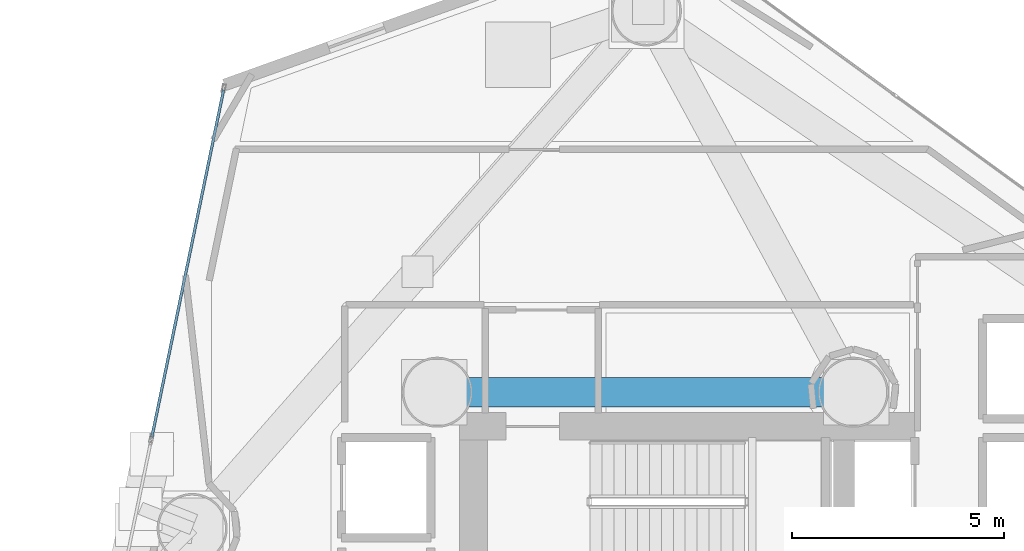
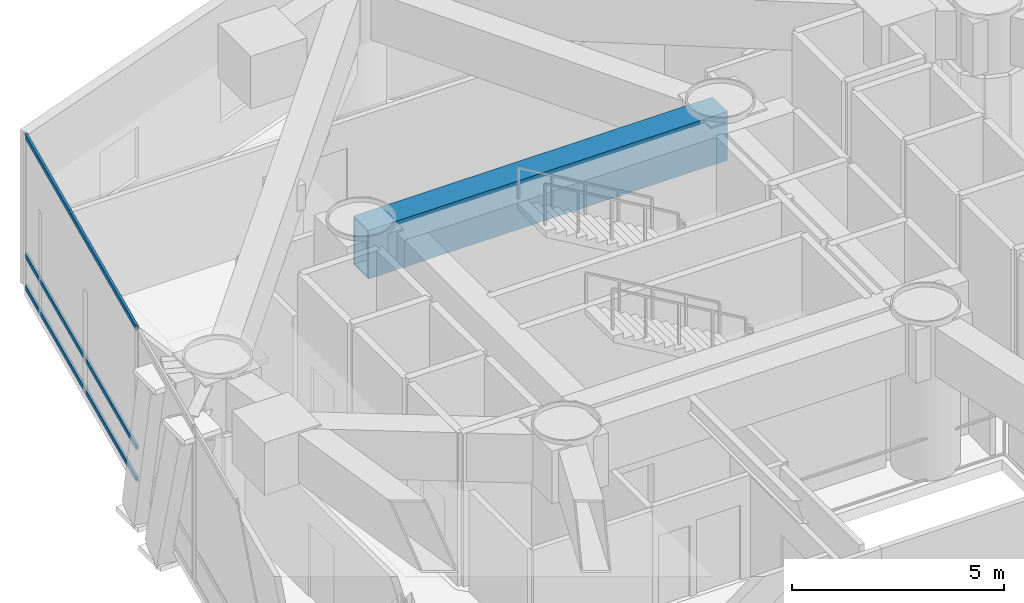
# One storey, part 7 of 22: 3 members, 1 beam, 1 element without a shape of its own.
"""IFC4 building model written with IfcOpenShell, lengths in metres."""

from ifc_helpers import new_model, si_unit, direction, frame, origin, origin_2d, place, context, subcontext, project, spatial, hollow_rectangle, extrude, material, layer, layer_set, material_profile, profile_set, type_object, element, aggregate, save


model = new_model("IFC4")

# Units and contexts
model_context = context("Model", 3, precision=1e-05, world=origin(), true_north=direction((0.0, 1.0)))
body_context = subcontext(model_context, "Body", "Model", "MODEL_VIEW")
ifc_project = project(units=[si_unit("LENGTHUNIT", "METRE"), si_unit("AREAUNIT", "SQUARE_METRE"), si_unit("VOLUMEUNIT", "CUBIC_METRE"), si_unit("PLANEANGLEUNIT", "RADIAN"), si_unit("MASSUNIT", "GRAM", prefix="KILO")], contexts=[model_context])

# Site, building, storey
site_placement = place(None, origin())
site = spatial("IfcSite", under=ifc_project, at=site_placement, CompositionType="ELEMENT")
building_placement = place(site_placement, origin())
building = spatial("IfcBuilding", under=site, at=building_placement, Name="Qianvela Tower", CompositionType="ELEMENT")
storey_placement = place(building_placement, frame((0.0, 0.0, 93.199951171875)))
storey = spatial("IfcBuildingStorey", under=building, at=storey_placement, Name="L23", CompositionType="ELEMENT", Elevation=93.199951171875)

# Beam
ifc_material_1 = material(Name="Steel Q420GJC", Category="steel")
ifc_material_profile_1 = material_profile(ifc_material_1, hollow_rectangle(XDim=0.699951171875, YDim=1.39990234375, WallThickness=0.0400390625, at=origin_2d()), Name="TG-BOX-1400x700x40")
ifc_profile_set_1 = profile_set([ifc_material_profile_1], Name="Steel Q420GJC")
beam_type = type_object("IfcBeamType", Name="BM-TG-RAD-1400", PredefinedType="BEAM", material=ifc_profile_set_1)
beam_placement = place(storey_placement, frame((28.60009765625, 33.550048828125, 3.718017578125), z_axis=(1.0, 0.0, 0.0), x_axis=(0.0, 1.0, 0.0)))
element("IfcBeam", 1, at=beam_placement, inside=storey, type_object=beam_type, Name="L23 Core Ring Transfer Girder 2", PredefinedType="BEAM", context=body_context, shape_type="SweptSolid", body=[
    extrude(hollow_rectangle(XDim=0.699951171875, YDim=1.39990234375, WallThickness=0.0400390625, at=origin_2d()), origin(), (0.0, 0.0, 1.0), 9.7998046875),
])

# Curtain wall, members
ifc_material_2 = material(Name="Anodised Architectural Aluminium and Low-E Glass", Category="aluminium")
ifc_layer = layer(ifc_material_2, 0.179931640625)
ifc_layer_set = layer_set([ifc_layer], Name="Anodised Architectural Aluminium and Low-E Glass")
curtain_wall_type = type_object("IfcCurtainWallType", Name="CW-COLIV-Z12", PredefinedType="USERDEFINED", material=ifc_layer_set)
curtain_wall_placement = place(storey_placement, origin())
curtain_wall = element("IfcCurtainWall", 2, at=curtain_wall_placement, inside=storey, type_object=curtain_wall_type, Name="L23 CW-COLIV-Z12 Curtain Wall 04A", ObjectType="CURTAIN_WALL_SYSTEM", PredefinedType="USERDEFINED")
ifc_material_3 = material(Name="Anodised Architectural Aluminium 6063-T6", Category="aluminium")
ifc_material_profile_2 = material_profile(ifc_material_3, hollow_rectangle(XDim=0.06494140625, YDim=0.1298828125, WallThickness=0.00439453125, at=origin_2d()), Name="ALU-TRAN-65x130")
ifc_profile_set_2 = profile_set([ifc_material_profile_2], Name="Anodised Architectural Aluminium 6063-T6")
member_type = type_object("IfcMemberType", Name="CW-COLIV-Z12-TRAN", PredefinedType="USERDEFINED", material=ifc_profile_set_2)
member_1_placement = place(storey_placement, frame((23.570068359375, 40.671142578125, 0.032470703125), z_axis=(-0.202443175915, -0.979294011278, 0.0), x_axis=(0.979294011278, -0.202443175915, 0.0)))
member_1 = element("IfcMember", 3, at=member_1_placement, type_object=member_type, Name="CW-3 transom 1.1", ObjectType="TRANSOM", PredefinedType="USERDEFINED", context=body_context, shape_type="SweptSolid", body=[
    extrude(hollow_rectangle(XDim=0.06494140625, YDim=0.1298828125, WallThickness=0.00439453125, at=origin_2d()), origin(), (0.0, 0.0, 1.0), 8.35009765625),
])
member_2_placement = place(storey_placement, frame((23.570068359375, 40.671142578125, 0.949951171875), z_axis=(-0.202443175915, -0.979294011278, 0.0), x_axis=(0.979294011278, -0.202443175915, 0.0)))
member_2 = element("IfcMember", 4, at=member_2_placement, type_object=member_type, Name="CW-3 transom 1.2", ObjectType="TRANSOM", PredefinedType="USERDEFINED", context=body_context, shape_type="SweptSolid", body=[
    extrude(hollow_rectangle(XDim=0.06494140625, YDim=0.1298828125, WallThickness=0.00439453125, at=origin_2d()), origin(), (0.0, 0.0, 1.0), 8.35009765625),
])
member_3_placement = place(storey_placement, frame((23.570068359375, 40.671142578125, 4.387451171875), z_axis=(-0.202443175915, -0.979294011278, 0.0), x_axis=(0.979294011278, -0.202443175915, 0.0)))
member_3 = element("IfcMember", 5, at=member_3_placement, type_object=member_type, Name="CW-3 transom 1.3", ObjectType="TRANSOM", PredefinedType="USERDEFINED", context=body_context, shape_type="SweptSolid", body=[
    extrude(hollow_rectangle(XDim=0.06494140625, YDim=0.1298828125, WallThickness=0.00439453125, at=origin_2d()), origin(), (0.0, 0.0, 1.0), 8.35009765625),
])
aggregate(curtain_wall, [member_1, member_2, member_3])

save(model, "model.ifc")
